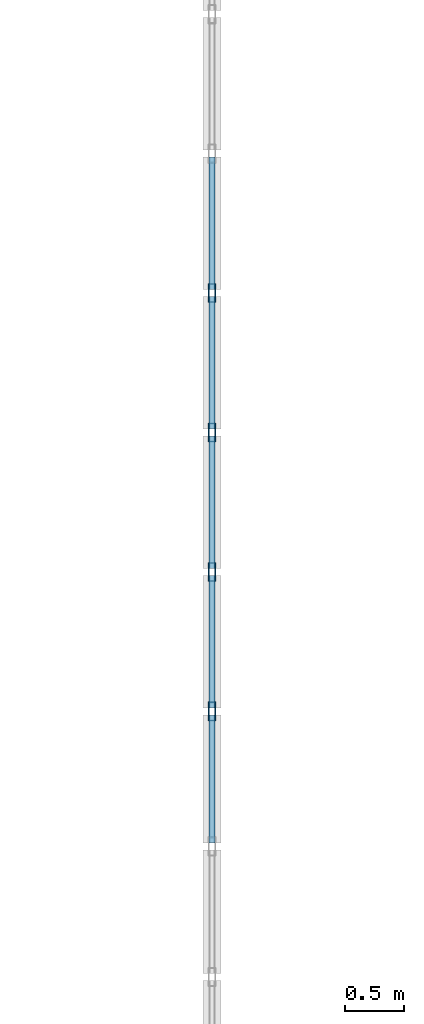
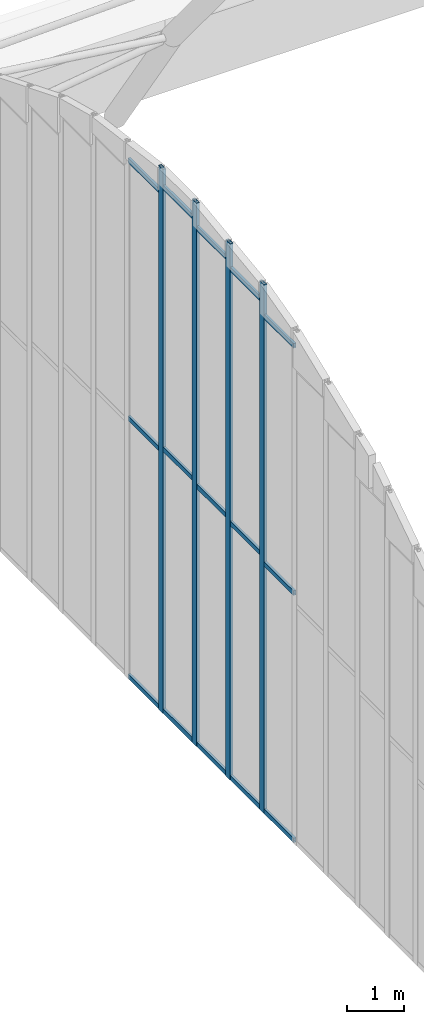
# One storey, part 16 of 77: 19 members, 1 element without a shape of its own.
"""IFC4 building model written with IfcOpenShell, lengths in metres."""

import ifcopenshell
import ifcopenshell.guid

model = None  # the IFC model being written
_history = None  # IfcOwnerHistory: only IFC2X3 demands one
_inside = {}  # id of a spatial element -> (the spatial element, [elements in it])
_under = {}  # id of a project, library or spatial element -> (it, [spatial elements below it])
_declared = {}  # id of a project -> (the project, [libraries it declares])
_typed = {}  # id of a type object -> (the type object, [elements of that type])
_made_of = {}  # id of a material, layer set ... -> (it, [elements and type objects made of it])


def new_model(schema):
    """Start an empty IFC model of exactly this schema.

    Asked for "IFC4X3", IfcOpenShell would pick the latest addendum, in which some entities
    have other attributes; the version numbers below select the first issue.
    IFC2X3 requires an IfcOwnerHistory on every rooted entity: one is made here for all.
    """
    global model, _history
    if schema == "IFC4X3":
        model = ifcopenshell.file(schema_version=(4, 3, 0, 0))
    else:
        model = ifcopenshell.file(schema=schema)
    _inside.clear()
    _under.clear()
    _declared.clear()
    _typed.clear()
    _made_of.clear()
    _history = None
    if model.schema == "IFC2X3":
        org = make("IfcOrganization", Name="unknown")
        user = make(
            "IfcPersonAndOrganization",
            ThePerson=make("IfcPerson", FamilyName="unknown"),
            TheOrganization=org,
        )
        app = make(
            "IfcApplication",
            ApplicationDeveloper=org,
            Version="unknown",
            ApplicationFullName="unknown",
            ApplicationIdentifier="unknown",
        )
        _history = make(
            "IfcOwnerHistory",
            OwningUser=user,
            OwningApplication=app,
            ChangeAction="ADDED",
            CreationDate=0,
        )
    return model


def make(cls, **values):
    """One entity of the class cls with the attributes given. An attribute that is None is left unset."""
    return model.create_entity(
        cls, **{name: value for name, value in values.items() if value is not None}
    )


def rooted(cls, **values):
    """An entity with a GlobalId (a new one), such as an element, a storey or a relation."""
    return make(cls, GlobalId=ifcopenshell.guid.new(), OwnerHistory=_history, **values)


def si_unit(unit_type, name, prefix=None):
    """IfcSIUnit, for example si_unit("LENGTHUNIT", "METRE", prefix="MILLI")."""
    return make("IfcSIUnit", UnitType=unit_type, Prefix=prefix, Name=name)


def assignment(units):
    """IfcUnitAssignment: the units of a project."""
    return None if units is None else make("IfcUnitAssignment", Units=units)


def point(xyz):
    """IfcCartesianPoint."""
    return None if xyz is None else make("IfcCartesianPoint", Coordinates=xyz)


def direction(xyz):
    """IfcDirection."""
    return None if xyz is None else make("IfcDirection", DirectionRatios=xyz)


def frame(location, z_axis=None, x_axis=None):
    """IfcAxis2Placement3D, a coordinate frame: its origin and axes. An axis left out is left unset."""
    return make(
        "IfcAxis2Placement3D",
        Location=point(location),
        Axis=direction(z_axis),
        RefDirection=direction(x_axis),
    )


def frame_2d(location, x_axis=None):
    """IfcAxis2Placement2D, a coordinate frame in the plane: its origin and x axis."""
    return make(
        "IfcAxis2Placement2D", Location=point(location), RefDirection=direction(x_axis)
    )


def origin():
    """The frame at (0, 0, 0) with its axes left unset."""
    return frame((0.0, 0.0, 0.0))


def origin_2d():
    """The frame at (0, 0) in the plane with its x axis left unset."""
    return frame_2d((0.0, 0.0))


def place(relative_to, where):
    """IfcLocalPlacement: puts the frame where relative to a parent placement (None: the world)."""
    return make(
        "IfcLocalPlacement", PlacementRelTo=relative_to, RelativePlacement=where
    )


def context(
    kind, dimensions, precision=None, world=None, true_north=None, identifier=None
):
    """IfcGeometricRepresentationContext, for example the 3D "Model" context."""
    return make(
        "IfcGeometricRepresentationContext",
        ContextIdentifier=identifier,
        ContextType=kind,
        CoordinateSpaceDimension=dimensions,
        Precision=precision,
        WorldCoordinateSystem=world,
        TrueNorth=true_north,
    )


def subcontext(parent, identifier, kind, view, scale=None):
    """IfcGeometricRepresentationSubContext, for example "Body" below "Model"."""
    return make(
        "IfcGeometricRepresentationSubContext",
        ContextIdentifier=identifier,
        ContextType=kind,
        ParentContext=parent,
        TargetScale=scale,
        TargetView=view,
    )


def project(units=None, contexts=None):
    """IfcProject with its units and contexts."""
    return rooted(
        "IfcProject",
        Name="project",
        RepresentationContexts=contexts,
        UnitsInContext=assignment(units),
    )


def spatial(cls, under=None, at=None, **own):
    """A site, building, storey or space (cls), placed at a placement, below another one or the project."""
    s = rooted(cls, ObjectPlacement=at, **own)
    if under is not None:
        _under.setdefault(under.id(), (under, []))[1].append(s)
    return s


def profile(cls, at=None, kind="AREA", **sizes):
    """A parametric profile (cls). Its sizes go by their IFC names, for example OverallWidth=200.0."""
    return make(cls, ProfileType=kind, Position=at, **sizes)


def hollow_rectangle(**sizes):
    """IfcRectangleHollowProfileDef."""
    return profile("IfcRectangleHollowProfileDef", **sizes)


def extrude(swept, where, along, depth):
    """IfcExtrudedAreaSolid: the profile swept, set in the frame where, extruded along a direction by depth."""
    return make(
        "IfcExtrudedAreaSolid",
        SweptArea=swept,
        Position=where,
        ExtrudedDirection=direction(along),
        Depth=depth,
    )


def shape(context_of_items, identifier, shape_type, items):
    """IfcShapeRepresentation: the items that make up one representation, for example the "Body"."""
    return make(
        "IfcShapeRepresentation",
        ContextOfItems=context_of_items,
        RepresentationIdentifier=identifier,
        RepresentationType=shape_type,
        Items=items,
    )


def material(Name=None, Category=None):
    """IfcMaterial."""
    return make("IfcMaterial", Name=Name, Category=Category)


def material_profile(
    of_material, cross_section, Name=None, Category=None, Priority=None
):
    """IfcMaterialProfile: a cross section and its material."""
    return make(
        "IfcMaterialProfile",
        Name=Name,
        Material=of_material,
        Profile=cross_section,
        Priority=Priority,
        Category=Category,
    )


def profile_set(profiles, Name=None, composite=None):
    """IfcMaterialProfileSet."""
    return make(
        "IfcMaterialProfileSet",
        Name=Name,
        MaterialProfiles=profiles,
        CompositeProfile=composite,
    )


def made_of(thing, what):
    """Note that an element or type object is made of a material, layer set ...; save() writes the relation."""
    if what is not None:
        _made_of.setdefault(what.id(), (what, []))[1].append(thing)
    return thing


def type_object(cls, material=None, **own):
    """A type object (cls), such as IfcWallType, which elements share."""
    return made_of(rooted(cls, **own), material)


def element(
    cls,
    number,
    at=None,
    inside=None,
    cuts=None,
    type_object=None,
    material=None,
    context=None,
    identifier="Body",
    shape_type=None,
    held_by="IfcProductDefinitionShape",
    body=None,
    shapes=None,
    **own,
):
    """One element of the class cls, such as IfcWall. Its Tag is "e" and its number.

    at: its placement. inside: the storey or other place that contains it. cuts: it is an
    opening in that element (IfcRelVoidsElement). A single representation is given by context,
    identifier, shape_type and body (its items); several are given by shapes. held_by: the class
    of the entity that holds the representations. save() writes the other relations.
    """
    e = rooted(cls, Tag="e%d" % number, ObjectPlacement=at, **own)
    if body is not None:
        shapes = [shape(context, identifier, shape_type, body)]
    if shapes is not None:
        e.Representation = make(held_by, Representations=shapes)
    if inside is not None:
        _inside.setdefault(inside.id(), (inside, []))[1].append(e)
    if cuts is not None:
        rooted(
            "IfcRelVoidsElement", RelatingBuildingElement=cuts, RelatedOpeningElement=e
        )
    if type_object is not None:
        _typed.setdefault(type_object.id(), (type_object, []))[1].append(e)
    return made_of(e, material)


def aggregate(whole, parts):
    """IfcRelAggregates: a whole, such as a stair, and the parts it consists of."""
    return rooted("IfcRelAggregates", RelatingObject=whole, RelatedObjects=parts)


def save(model, path):
    """Write the relations noted so far, then the file.

    IfcRelAggregates (storeys below a building ...), IfcRelContainedInSpatialStructure (elements
    in a storey), IfcRelDefinesByType, IfcRelAssociatesMaterial and IfcRelDeclares: one each for
    every whole, place, type object, material and project.
    """
    for whole, parts in _under.values():
        aggregate(whole, parts)
    for where, things in _inside.values():
        rooted(
            "IfcRelContainedInSpatialStructure",
            RelatedElements=things,
            RelatingStructure=where,
        )
    for kind, things in _typed.values():
        rooted("IfcRelDefinesByType", RelatedObjects=things, RelatingType=kind)
    for what, things in _made_of.values():
        rooted("IfcRelAssociatesMaterial", RelatedObjects=things, RelatingMaterial=what)
    for by, libraries in _declared.values():
        rooted("IfcRelDeclares", RelatingContext=by, RelatedDefinitions=libraries)
    model.write(path)


model = new_model("IFC4")

# Units and contexts
model_context = context("Model", 3, precision=1e-05, world=origin(), true_north=direction((0.0, 1.0)))
body_context = subcontext(model_context, "Body", "Model", "MODEL_VIEW")
ifc_project = project(units=[si_unit("LENGTHUNIT", "METRE"), si_unit("AREAUNIT", "SQUARE_METRE"), si_unit("VOLUMEUNIT", "CUBIC_METRE"), si_unit("PLANEANGLEUNIT", "RADIAN"), si_unit("MASSUNIT", "GRAM", prefix="KILO")], contexts=[model_context])

# Site, building, storey
site_placement = place(None, origin())
site = spatial("IfcSite", under=ifc_project, at=site_placement, CompositionType="ELEMENT")
building_placement = place(site_placement, origin())
building = spatial("IfcBuilding", under=site, at=building_placement, Name="Catenary Quay Ferry Terminal", CompositionType="ELEMENT")
storey_placement = place(building_placement, frame((0.0, 0.0, 10.800048828125)))
storey = spatial("IfcBuildingStorey", under=building, at=storey_placement, Name="L02", CompositionType="ELEMENT", Elevation=10.800048828125)

# Curtain wall, members
ifc_material_1 = material(Name="Aluminium and glass", Category="aluminium")
curtain_wall_type = type_object("IfcCurtainWallType", Name="CWA", PredefinedType="NOTDEFINED", material=ifc_material_1)
curtain_wall_placement = place(storey_placement, origin())
curtain_wall = element("IfcCurtainWall", 1, at=curtain_wall_placement, inside=storey, type_object=curtain_wall_type, Name="Arch departure hall curtain wall CW17", PredefinedType="NOTDEFINED")
ifc_material_2 = material(Name="Aluminium", Category="aluminium")
ifc_material_profile_1 = material_profile(ifc_material_2, hollow_rectangle(XDim=0.06005859375, YDim=0.159912109375, WallThickness=0.006103515625, at=origin_2d()), Name="MU5")
ifc_profile_set_1 = profile_set([ifc_material_profile_1], Name="Aluminium")
member_type_1 = type_object("IfcMemberType", Name="MU5", PredefinedType="MULLION", material=ifc_profile_set_1)
member_1_placement = place(storey_placement, frame((25.199951171875, 123.0341796875, 0.0), z_axis=(0.0, 0.0, 1.0), x_axis=(-1.0, 0.0, 0.0)))
member_1 = element("IfcMember", 2, at=member_1_placement, type_object=member_type_1, Name="CW17 mullion 15", PredefinedType="MULLION", context=body_context, shape_type="SweptSolid", body=[
    extrude(hollow_rectangle(XDim=0.06005859375, YDim=0.159912109375, WallThickness=0.006103515625, at=origin_2d()), origin(), (0.0, 0.0, 1.0), 11.38330078125),
])
member_2_placement = place(storey_placement, frame((25.199951171875, 124.220458984375, 0.0), z_axis=(0.0, 0.0, 1.0), x_axis=(-1.0, 0.0, 0.0)))
member_2 = element("IfcMember", 3, at=member_2_placement, type_object=member_type_1, Name="CW17 mullion 16", PredefinedType="MULLION", context=body_context, shape_type="SweptSolid", body=[
    extrude(hollow_rectangle(XDim=0.06005859375, YDim=0.159912109375, WallThickness=0.006103515625, at=origin_2d()), origin(), (0.0, 0.0, 1.0), 11.5419921875),
])
member_3_placement = place(storey_placement, frame((25.199951171875, 125.40673828125, 0.0), z_axis=(0.0, 0.0, 1.0), x_axis=(-1.0, 0.0, 0.0)))
member_3 = element("IfcMember", 4, at=member_3_placement, type_object=member_type_1, Name="CW17 mullion 17", PredefinedType="MULLION", context=body_context, shape_type="SweptSolid", body=[
    extrude(hollow_rectangle(XDim=0.06005859375, YDim=0.159912109375, WallThickness=0.006103515625, at=origin_2d()), origin(), (0.0, 0.0, 1.0), 11.70068359375),
])
member_4_placement = place(storey_placement, frame((25.199951171875, 126.59326171875, 0.0), z_axis=(0.0, 0.0, 1.0), x_axis=(-1.0, 0.0, 0.0)))
member_4 = element("IfcMember", 5, at=member_4_placement, type_object=member_type_1, Name="CW17 mullion 18", PredefinedType="MULLION", context=body_context, shape_type="SweptSolid", body=[
    extrude(hollow_rectangle(XDim=0.06005859375, YDim=0.159912109375, WallThickness=0.006103515625, at=origin_2d()), origin(), (0.0, 0.0, 1.0), 11.70068359375),
])
ifc_material_3 = material(Name="Aluminium", Category="aluminium")
ifc_material_profile_2 = material_profile(ifc_material_3, hollow_rectangle(XDim=0.050048828125, YDim=0.10009765625, WallThickness=0.00390625, at=origin_2d()), Name="TR4")
ifc_profile_set_2 = profile_set([ifc_material_profile_2], Name="Aluminium")
member_type_2 = type_object("IfcMemberType", Name="TR4", PredefinedType="USERDEFINED", material=ifc_profile_set_2)
member_5_placement = place(storey_placement, frame((25.199951171875, 121.915771484375, 0.050048828125), z_axis=(0.0, 1.0, 0.0), x_axis=(-1.0, 0.0, 0.0)))
member_5 = element("IfcMember", 6, at=member_5_placement, type_object=member_type_2, Name="CW17 transom 14.1", ObjectType="TRANSOM", PredefinedType="USERDEFINED", context=body_context, shape_type="SweptSolid", body=[
    extrude(hollow_rectangle(XDim=0.050048828125, YDim=0.10009765625, WallThickness=0.00390625, at=origin_2d()), origin(), (0.0, 0.0, 1.0), 1.08837890625),
])
member_6_placement = place(storey_placement, frame((25.199951171875, 121.915771484375, 5.37060546875), z_axis=(0.0, 1.0, 0.0), x_axis=(-1.0, 0.0, 0.0)))
member_6 = element("IfcMember", 7, at=member_6_placement, type_object=member_type_2, Name="CW17 transom 14.2", ObjectType="TRANSOM", PredefinedType="USERDEFINED", context=body_context, shape_type="SweptSolid", body=[
    extrude(hollow_rectangle(XDim=0.050048828125, YDim=0.10009765625, WallThickness=0.00390625, at=origin_2d()), origin(), (0.0, 0.0, 1.0), 1.08837890625),
])
member_7_placement = place(storey_placement, frame((25.199951171875, 121.915771484375, 10.691162109375), z_axis=(0.0, 1.0, 0.0), x_axis=(-1.0, 0.0, 0.0)))
member_7 = element("IfcMember", 8, at=member_7_placement, type_object=member_type_2, Name="CW17 transom 14.3", ObjectType="TRANSOM", PredefinedType="USERDEFINED", context=body_context, shape_type="SweptSolid", body=[
    extrude(hollow_rectangle(XDim=0.050048828125, YDim=0.10009765625, WallThickness=0.00390625, at=origin_2d()), origin(), (0.0, 0.0, 1.0), 1.08837890625),
])
member_8_placement = place(storey_placement, frame((25.199951171875, 123.064208984375, 0.050048828125), z_axis=(0.0, 1.0, 0.0), x_axis=(-1.0, 0.0, 0.0)))
member_8 = element("IfcMember", 9, at=member_8_placement, type_object=member_type_2, Name="CW17 transom 15.1", ObjectType="TRANSOM", PredefinedType="USERDEFINED", context=body_context, shape_type="SweptSolid", body=[
    extrude(hollow_rectangle(XDim=0.050048828125, YDim=0.10009765625, WallThickness=0.00390625, at=origin_2d()), origin(), (0.0, 0.0, 1.0), 1.126220703125),
])
member_9_placement = place(storey_placement, frame((25.199951171875, 123.064208984375, 5.521728515625), z_axis=(0.0, 1.0, 0.0), x_axis=(-1.0, 0.0, 0.0)))
member_9 = element("IfcMember", 10, at=member_9_placement, type_object=member_type_2, Name="CW17 transom 15.2", ObjectType="TRANSOM", PredefinedType="USERDEFINED", context=body_context, shape_type="SweptSolid", body=[
    extrude(hollow_rectangle(XDim=0.050048828125, YDim=0.10009765625, WallThickness=0.00390625, at=origin_2d()), origin(), (0.0, 0.0, 1.0), 1.126220703125),
])
member_10_placement = place(storey_placement, frame((25.199951171875, 123.064208984375, 10.9931640625), z_axis=(0.0, 1.0, 0.0), x_axis=(-1.0, 0.0, 0.0)))
member_10 = element("IfcMember", 11, at=member_10_placement, type_object=member_type_2, Name="CW17 transom 15.3", ObjectType="TRANSOM", PredefinedType="USERDEFINED", context=body_context, shape_type="SweptSolid", body=[
    extrude(hollow_rectangle(XDim=0.050048828125, YDim=0.10009765625, WallThickness=0.00390625, at=origin_2d()), origin(), (0.0, 0.0, 1.0), 1.126220703125),
])
member_11_placement = place(storey_placement, frame((25.199951171875, 124.25048828125, 0.050048828125), z_axis=(0.0, 1.0, 0.0), x_axis=(-1.0, 0.0, 0.0)))
member_11 = element("IfcMember", 12, at=member_11_placement, type_object=member_type_2, Name="CW17 transom 16.1", ObjectType="TRANSOM", PredefinedType="USERDEFINED", context=body_context, shape_type="SweptSolid", body=[
    extrude(hollow_rectangle(XDim=0.050048828125, YDim=0.10009765625, WallThickness=0.00390625, at=origin_2d()), origin(), (0.0, 0.0, 1.0), 1.12646484375),
])
member_12_placement = place(storey_placement, frame((25.199951171875, 124.25048828125, 5.600830078125), z_axis=(0.0, 1.0, 0.0), x_axis=(-1.0, 0.0, 0.0)))
member_12 = element("IfcMember", 13, at=member_12_placement, type_object=member_type_2, Name="CW17 transom 16.2", ObjectType="TRANSOM", PredefinedType="USERDEFINED", context=body_context, shape_type="SweptSolid", body=[
    extrude(hollow_rectangle(XDim=0.050048828125, YDim=0.10009765625, WallThickness=0.00390625, at=origin_2d()), origin(), (0.0, 0.0, 1.0), 1.12646484375),
])
member_13_placement = place(storey_placement, frame((25.199951171875, 124.25048828125, 11.15185546875), z_axis=(0.0, 1.0, 0.0), x_axis=(-1.0, 0.0, 0.0)))
member_13 = element("IfcMember", 14, at=member_13_placement, type_object=member_type_2, Name="CW17 transom 16.3", ObjectType="TRANSOM", PredefinedType="USERDEFINED", context=body_context, shape_type="SweptSolid", body=[
    extrude(hollow_rectangle(XDim=0.050048828125, YDim=0.10009765625, WallThickness=0.00390625, at=origin_2d()), origin(), (0.0, 0.0, 1.0), 1.12646484375),
])
member_14_placement = place(storey_placement, frame((25.199951171875, 125.436767578125, 0.050048828125), z_axis=(0.0, 1.0, 0.0), x_axis=(-1.0, 0.0, 0.0)))
member_14 = element("IfcMember", 15, at=member_14_placement, type_object=member_type_2, Name="CW17 transom 17.1", ObjectType="TRANSOM", PredefinedType="USERDEFINED", context=body_context, shape_type="SweptSolid", body=[
    extrude(hollow_rectangle(XDim=0.050048828125, YDim=0.10009765625, WallThickness=0.00390625, at=origin_2d()), origin(), (0.0, 0.0, 1.0), 1.12646484375),
])
member_15_placement = place(storey_placement, frame((25.199951171875, 125.436767578125, 5.68017578125), z_axis=(0.0, 1.0, 0.0), x_axis=(-1.0, 0.0, 0.0)))
member_15 = element("IfcMember", 16, at=member_15_placement, type_object=member_type_2, Name="CW17 transom 17.2", ObjectType="TRANSOM", PredefinedType="USERDEFINED", context=body_context, shape_type="SweptSolid", body=[
    extrude(hollow_rectangle(XDim=0.050048828125, YDim=0.10009765625, WallThickness=0.00390625, at=origin_2d()), origin(), (0.0, 0.0, 1.0), 1.12646484375),
])
member_16_placement = place(storey_placement, frame((25.199951171875, 125.436767578125, 11.310546875), z_axis=(0.0, 1.0, 0.0), x_axis=(-1.0, 0.0, 0.0)))
member_16 = element("IfcMember", 17, at=member_16_placement, type_object=member_type_2, Name="CW17 transom 17.3", ObjectType="TRANSOM", PredefinedType="USERDEFINED", context=body_context, shape_type="SweptSolid", body=[
    extrude(hollow_rectangle(XDim=0.050048828125, YDim=0.10009765625, WallThickness=0.00390625, at=origin_2d()), origin(), (0.0, 0.0, 1.0), 1.12646484375),
])
member_17_placement = place(storey_placement, frame((25.199951171875, 126.623046875, 0.050048828125), z_axis=(0.0, 1.0, 0.0), x_axis=(-1.0, 0.0, 0.0)))
member_17 = element("IfcMember", 18, at=member_17_placement, type_object=member_type_2, Name="CW17 transom 18.1", ObjectType="TRANSOM", PredefinedType="USERDEFINED", context=body_context, shape_type="SweptSolid", body=[
    extrude(hollow_rectangle(XDim=0.050048828125, YDim=0.10009765625, WallThickness=0.00390625, at=origin_2d()), origin(), (0.0, 0.0, 1.0), 1.12646484375),
])
member_18_placement = place(storey_placement, frame((25.199951171875, 126.623046875, 5.600830078125), z_axis=(0.0, 1.0, 0.0), x_axis=(-1.0, 0.0, 0.0)))
member_18 = element("IfcMember", 19, at=member_18_placement, type_object=member_type_2, Name="CW17 transom 18.2", ObjectType="TRANSOM", PredefinedType="USERDEFINED", context=body_context, shape_type="SweptSolid", body=[
    extrude(hollow_rectangle(XDim=0.050048828125, YDim=0.10009765625, WallThickness=0.00390625, at=origin_2d()), origin(), (0.0, 0.0, 1.0), 1.12646484375),
])
member_19_placement = place(storey_placement, frame((25.199951171875, 126.623046875, 11.15185546875), z_axis=(0.0, 1.0, 0.0), x_axis=(-1.0, 0.0, 0.0)))
member_19 = element("IfcMember", 20, at=member_19_placement, type_object=member_type_2, Name="CW17 transom 18.3", ObjectType="TRANSOM", PredefinedType="USERDEFINED", context=body_context, shape_type="SweptSolid", body=[
    extrude(hollow_rectangle(XDim=0.050048828125, YDim=0.10009765625, WallThickness=0.00390625, at=origin_2d()), origin(), (0.0, 0.0, 1.0), 1.12646484375),
])
aggregate(curtain_wall, [member_1, member_2, member_3, member_4, member_5, member_6, member_7, member_8, member_9, member_10, member_11, member_12, member_13, member_14, member_15, member_16, member_17, member_18, member_19])

save(model, "model.ifc")
